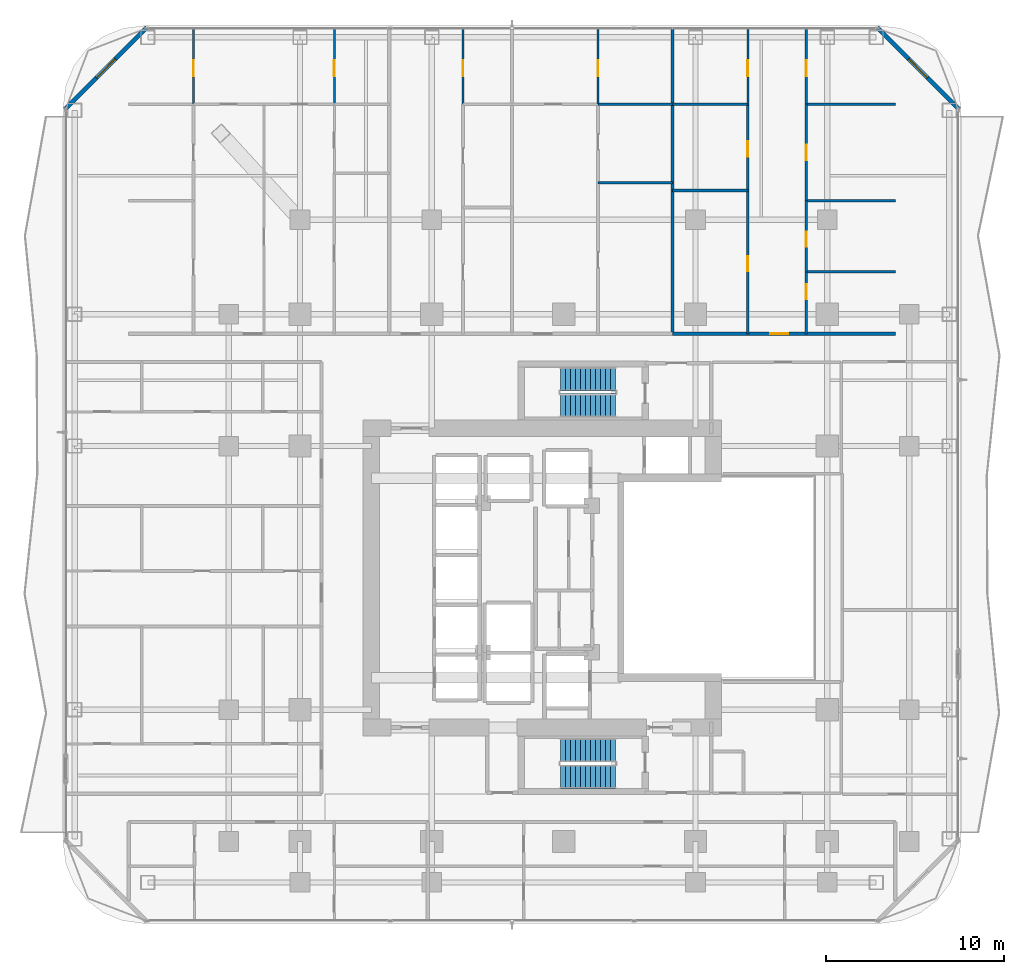
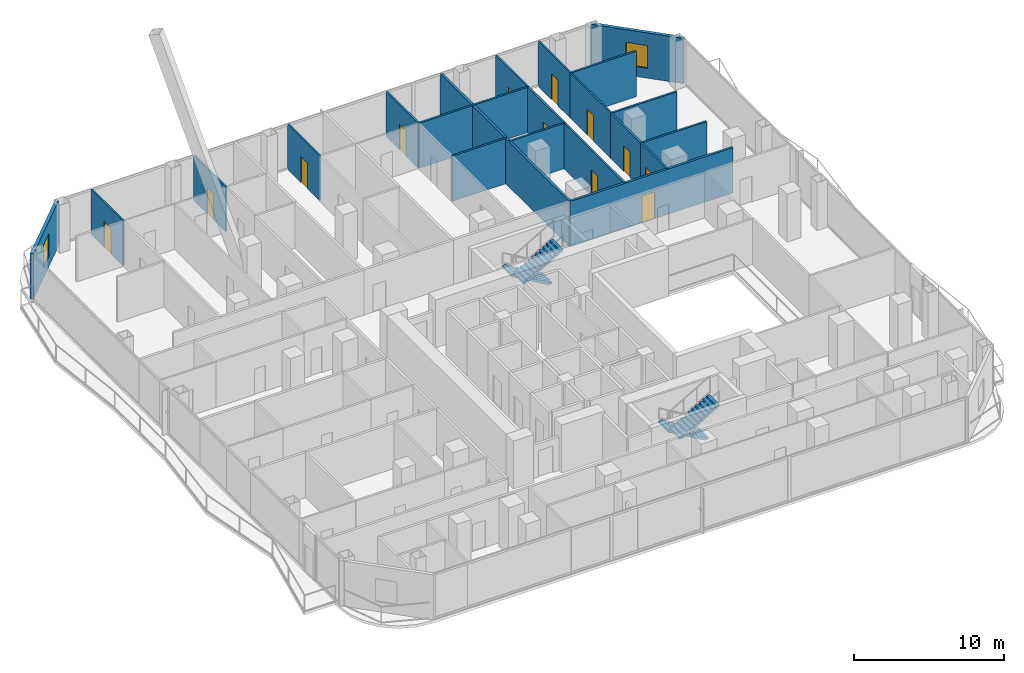
# One storey, part 23 of 28: 22 walls, 12 doors, 4 stair flights, 2 windows, 14 openings, 2 elements without a shape of their own.
"""IFC4 building model written with IfcOpenShell, lengths in metres."""

from ifc_helpers import new_model, si_unit, direction, frame, frame_2d, origin, place, context, subcontext, project, spatial, polyline, rectangle, outline, extrude, material, layer, layer_set, type_object, element, fill, aggregate, save


model = new_model("IFC4")

# Units and contexts
model_context = context("Model", 3, precision=1e-05, world=origin(), true_north=direction((0.0, 1.0)))
body_context = subcontext(model_context, "Body", "Model", "MODEL_VIEW")
ifc_project = project(units=[si_unit("LENGTHUNIT", "METRE"), si_unit("AREAUNIT", "SQUARE_METRE"), si_unit("VOLUMEUNIT", "CUBIC_METRE"), si_unit("PLANEANGLEUNIT", "RADIAN"), si_unit("MASSUNIT", "GRAM", prefix="KILO")], contexts=[model_context])

# Site, building, storey
site_placement = place(None, origin())
site = spatial("IfcSite", under=ifc_project, at=site_placement, CompositionType="ELEMENT")
building_placement = place(site_placement, origin())
building = spatial("IfcBuilding", under=site, at=building_placement, Name="Khorvyn Point Tower", CompositionType="ELEMENT")
storey_placement = place(building_placement, frame((0.0, 0.0, 89.10009765625)))
storey = spatial("IfcBuildingStorey", under=building, at=storey_placement, Name="L22", CompositionType="ELEMENT", Elevation=89.10009765625)

# Wall, opening, door
ifc_material_1 = material(Name="Double acoustic gypsum on twin steel stud", Category="steel")
ifc_layer_1 = layer(ifc_material_1, 0.179931640625)
ifc_layer_set_1 = layer_set([ifc_layer_1], Name="Acoustic Double-Stud Apartment Demising Wall 180")
wall_type_1 = type_object("IfcWallType", Name="Acoustic Double-Stud Apartment Demising Wall 180", PredefinedType="PARTITIONING", material=ifc_layer_set_1)
wall_1_placement = place(storey_placement, frame((6.116943359375, 13.699951171875, 0.0), z_axis=(0.0, 0.0, 1.0), x_axis=(1.0, 0.0, 0.0)))
wall_1 = element("IfcWall", 1, at=wall_1_placement, inside=storey, type_object=wall_type_1, Name="Wall", PredefinedType="PARTITIONING", context=body_context, shape_type="SweptSolid", body=[
    extrude(rectangle(XDim=12.503173828125, YDim=0.179931640625, at=frame_2d((6.25146484375, 0.0))), origin(), (0.0, 0.0, 1.0), 3.679931640625),
])
opening_1_placement = place(wall_1_placement, frame((5.485107421875, 0.0, 0.0)))
opening_1 = element("IfcOpeningElement", 2, at=opening_1_placement, cuts=wall_1, Name="Opening ID-AP60", PredefinedType="OPENING", context=body_context, shape_type="SweptSolid", body=[
    extrude(rectangle(XDim=1.0, YDim=2.199951171875, at=frame_2d((0.5, 1.10009765625))), frame((0.0, 0.099853515625, 0.0), z_axis=(0.0, -1.0, 0.0), x_axis=(1.0, 0.0, 0.0)), (0.0, 0.0, 1.0), 0.199951171875),
])
ifc_material_2 = material(Name="Engineered hardwood fire-rated leaf", Category="wood")
door_type_1 = type_object("IfcDoorType", Name="Acoustic Solid-Core Timber Apartment Entrance Door 1000x2200", OperationType="NOTDEFINED", PredefinedType="DOOR", material=ifc_material_2)
door_1_placement = place(opening_1_placement, origin())
door_1 = element("IfcDoor", 3, at=door_1_placement, inside=storey, type_object=door_type_1, Name="Door", OperationType="SINGLE_SWING_LEFT", OverallHeight=2.199951171875, OverallWidth=1.0, PredefinedType="DOOR", context=body_context, shape_type="SweptSolid", body=[
    extrude(rectangle(XDim=1.0, YDim=2.199951171875, at=frame_2d((0.5, 1.10009765625))), frame((0.0, 0.02490234375, 0.0), z_axis=(0.0, -1.0, 0.0), x_axis=(1.0, 0.0, 0.0)), (0.0, 0.0, 1.0), 0.050048828125),
])
fill(opening_1, door_1)

# Wall
wall_2_placement = place(storey_placement, frame((6.116943359375, 13.699951171875, 0.0), z_axis=(0.0, 0.0, 1.0), x_axis=(0.0, 1.0, 0.0)))
element("IfcWall", 4, at=wall_2_placement, inside=storey, type_object=wall_type_1, Name="Wall", PredefinedType="PARTITIONING", context=body_context, shape_type="SweptSolid", body=[
    extrude(rectangle(XDim=17.130126953125, YDim=0.179931640625, at=frame_2d((8.56494140625, 0.0))), origin(), (0.0, 0.0, 1.0), 3.679931640625),
])

# Wall, opening, window
ifc_material_3 = material(Name="Pale anodised aluminium rainscreen on steel stud", Category="steel")
ifc_layer_2 = layer(ifc_material_3, 0.239990234375)
ifc_layer_set_2 = layer_set([ifc_layer_2], Name="Anodised Aluminium Insulated Corner Spandrel Wall 240")
wall_type_2 = type_object("IfcWallType", Name="Anodised Aluminium Insulated Corner Spandrel Wall 240", PredefinedType="SOLIDWALL", material=ifc_layer_set_2)
wall_3_placement = place(storey_placement, frame((-27.992431640625, 26.3076171875, 0.0), z_axis=(0.0, 0.0, 1.0), x_axis=(0.707106781187, 0.707106781187, 0.0)))
wall_3 = element("IfcWall", 5, at=wall_3_placement, inside=storey, type_object=wall_type_2, Name="L22 Rounded Corner Wall NW", PredefinedType="SOLIDWALL", context=body_context, shape_type="SweptSolid", body=[
    extrude(rectangle(XDim=6.48388671875, YDim=0.239990234375, at=frame_2d((3.241943359375, 0.0))), origin(), (0.0, 0.0, 1.0), 3.679931640625),
])
opening_2_placement = place(wall_3_placement, frame((2.491943359375, 0.0, 0.800048828125)))
opening_2 = element("IfcOpeningElement", 6, at=opening_2_placement, cuts=wall_3, Name="Opening WN-1518", PredefinedType="OPENING", context=body_context, shape_type="SweptSolid", body=[
    extrude(rectangle(XDim=1.5, YDim=1.85009765625, at=frame_2d((0.75, 0.925048828125))), frame((0.0, 0.1298828125, 0.0), z_axis=(0.0, -1.0, 0.0), x_axis=(1.0, 0.0, 0.0)), (0.0, 0.0, 1.0), 0.260009765625),
])
ifc_material_4 = material(Name="Anodised aluminium 6063-T6 and laminated Low-E glass", Category="aluminium")
window_type = type_object("IfcWindowType", Name="Anodised Aluminium Rounded-Corner Panoramic Window 1500x1850", PartitioningType="SINGLE_PANEL", PredefinedType="WINDOW", material=ifc_material_4)
window_1_placement = place(opening_2_placement, origin())
window_1 = element("IfcWindow", 7, at=window_1_placement, inside=storey, type_object=window_type, Name="L22 Corner Panoramic Window NW", OverallHeight=1.85009765625, OverallWidth=1.5, PartitioningType="SINGLE_PANEL", PredefinedType="WINDOW", context=body_context, shape_type="SweptSolid", body=[
    extrude(rectangle(XDim=1.5, YDim=1.85009765625, at=frame_2d((0.75, 0.925048828125))), frame((0.0, 0.030029296875, 0.0), z_axis=(0.0, -1.0, 0.0), x_axis=(1.0, 0.0, 0.0)), (0.0, 0.0, 1.0), 0.06005859375),
])
fill(opening_2, window_1)

wall_4_placement = place(storey_placement, frame((17.607666015625, 30.892333984375, 0.0), z_axis=(0.0, 0.0, 1.0), x_axis=(0.707106781187, -0.707106781187, 0.0)))
wall_4 = element("IfcWall", 8, at=wall_4_placement, inside=storey, type_object=wall_type_2, Name="L22 Rounded Corner Wall NE", PredefinedType="SOLIDWALL", context=body_context, shape_type="SweptSolid", body=[
    extrude(rectangle(XDim=6.48388671875, YDim=0.239990234375, at=frame_2d((3.241943359375, 0.0))), origin(), (0.0, 0.0, 1.0), 3.679931640625),
])
opening_3_placement = place(wall_4_placement, frame((2.491943359375, 0.0, 0.800048828125)))
opening_3 = element("IfcOpeningElement", 9, at=opening_3_placement, cuts=wall_4, Name="Opening WN-1518", PredefinedType="OPENING", context=body_context, shape_type="SweptSolid", body=[
    extrude(rectangle(XDim=1.5, YDim=1.85009765625, at=frame_2d((0.75, 0.925048828125))), frame((0.0, 0.1298828125, 0.0), z_axis=(0.0, -1.0, 0.0), x_axis=(1.0, 0.0, 0.0)), (0.0, 0.0, 1.0), 0.260009765625),
])
window_2_placement = place(opening_3_placement, origin())
window_2 = element("IfcWindow", 10, at=window_2_placement, inside=storey, type_object=window_type, Name="L22 Corner Panoramic Window NE", OverallHeight=1.85009765625, OverallWidth=1.5, PartitioningType="SINGLE_PANEL", PredefinedType="WINDOW", context=body_context, shape_type="SweptSolid", body=[
    extrude(rectangle(XDim=1.5, YDim=1.85009765625, at=frame_2d((0.75, 0.925048828125))), frame((0.0, 0.030029296875, 0.0), z_axis=(0.0, -1.0, 0.0), x_axis=(1.0, 0.0, 0.0)), (0.0, 0.0, 1.0), 0.06005859375),
])
fill(opening_3, window_2)

# Wall, opening, door
ifc_material_5 = material(Name="Gypsum plasterboard on steel stud", Category="steel")
ifc_layer_3 = layer(ifc_material_5, 0.1201171875)
ifc_layer_set_3 = layer_set([ifc_layer_3], Name="Gypsum Acoustic Stud Room Partition Wall 120")
wall_type_3 = type_object("IfcWallType", Name="Gypsum Acoustic Stud Room Partition Wall 120", PredefinedType="PARTITIONING", material=ifc_layer_set_3)
wall_5_placement = place(storey_placement, frame((-20.779052734375, 26.590087890625, 0.0), z_axis=(0.0, 0.0, 1.0), x_axis=(0.0, 1.0, 0.0)))
wall_5 = element("IfcWall", 11, at=wall_5_placement, inside=storey, type_object=wall_type_3, Name="Wall", PredefinedType="PARTITIONING", context=body_context, shape_type="SweptSolid", body=[
    extrude(rectangle(XDim=4.239990234375, YDim=0.1201171875, at=frame_2d((2.1201171875, 0.0))), origin(), (0.0, 0.0, 1.0), 3.679931640625),
])
opening_4_placement = place(wall_5_placement, frame((1.581298828125, 0.0, 0.0)))
opening_4 = element("IfcOpeningElement", 12, at=opening_4_placement, cuts=wall_5, Name="Opening ID-RM90", PredefinedType="OPENING", context=body_context, shape_type="SweptSolid", body=[
    extrude(rectangle(XDim=0.89990234375, YDim=2.10009765625, at=frame_2d((0.449951171875, 1.050048828125))), frame((0.0, 0.070068359375, 0.0), z_axis=(0.0, -1.0, 0.0), x_axis=(1.0, 0.0, 0.0)), (0.0, 0.0, 1.0), 0.14013671875),
])
ifc_material_6 = material(Name="Engineered oak veneer timber", Category="wood")
door_type_2 = type_object("IfcDoorType", Name="Flush Engineered Timber Room Door 900x2100", OperationType="NOTDEFINED", PredefinedType="DOOR", material=ifc_material_6)
door_2_placement = place(opening_4_placement, origin())
door_2 = element("IfcDoor", 13, at=door_2_placement, inside=storey, type_object=door_type_2, Name="Door", OperationType="SINGLE_SWING_RIGHT", OverallHeight=2.10009765625, OverallWidth=0.89990234375, PredefinedType="DOOR", context=body_context, shape_type="SweptSolid", body=[
    extrude(rectangle(XDim=0.89990234375, YDim=2.10009765625, at=frame_2d((0.449951171875, 1.050048828125))), frame((0.0, 0.02490234375, 0.0), z_axis=(0.0, -1.0, 0.0), x_axis=(1.0, 0.0, 0.0)), (0.0, 0.0, 1.0), 0.050048828125),
])
fill(opening_4, door_2)

wall_6_placement = place(storey_placement, frame((-12.873046875, 26.590087890625, 0.0), z_axis=(0.0, 0.0, 1.0), x_axis=(0.0, 1.0, 0.0)))
wall_6 = element("IfcWall", 14, at=wall_6_placement, inside=storey, type_object=wall_type_3, Name="Wall", PredefinedType="PARTITIONING", context=body_context, shape_type="SweptSolid", body=[
    extrude(rectangle(XDim=4.239990234375, YDim=0.1201171875, at=frame_2d((2.1201171875, 0.0))), origin(), (0.0, 0.0, 1.0), 3.679931640625),
])
opening_5_placement = place(wall_6_placement, frame((1.581298828125, 0.0, 0.0)))
opening_5 = element("IfcOpeningElement", 15, at=opening_5_placement, cuts=wall_6, Name="Opening ID-RM90", PredefinedType="OPENING", context=body_context, shape_type="SweptSolid", body=[
    extrude(rectangle(XDim=0.89990234375, YDim=2.10009765625, at=frame_2d((0.449951171875, 1.050048828125))), frame((0.0, 0.070068359375, 0.0), z_axis=(0.0, -1.0, 0.0), x_axis=(1.0, 0.0, 0.0)), (0.0, 0.0, 1.0), 0.14013671875),
])
door_3_placement = place(opening_5_placement, origin())
door_3 = element("IfcDoor", 16, at=door_3_placement, inside=storey, type_object=door_type_2, Name="Door", OperationType="SINGLE_SWING_LEFT", OverallHeight=2.10009765625, OverallWidth=0.89990234375, PredefinedType="DOOR", context=body_context, shape_type="SweptSolid", body=[
    extrude(rectangle(XDim=0.89990234375, YDim=2.10009765625, at=frame_2d((0.449951171875, 1.050048828125))), frame((0.0, 0.02490234375, 0.0), z_axis=(0.0, -1.0, 0.0), x_axis=(1.0, 0.0, 0.0)), (0.0, 0.0, 1.0), 0.050048828125),
])
fill(opening_5, door_3)

wall_7_placement = place(storey_placement, frame((-5.64990234375, 26.590087890625, 0.0), z_axis=(0.0, 0.0, 1.0), x_axis=(0.0, 1.0, 0.0)))
wall_7 = element("IfcWall", 17, at=wall_7_placement, inside=storey, type_object=wall_type_3, Name="Wall", PredefinedType="PARTITIONING", context=body_context, shape_type="SweptSolid", body=[
    extrude(rectangle(XDim=4.239990234375, YDim=0.1201171875, at=frame_2d((2.1201171875, 0.0))), origin(), (0.0, 0.0, 1.0), 3.679931640625),
])
opening_6_placement = place(wall_7_placement, frame((1.581298828125, 0.0, 0.0)))
opening_6 = element("IfcOpeningElement", 18, at=opening_6_placement, cuts=wall_7, Name="Opening ID-RM90", PredefinedType="OPENING", context=body_context, shape_type="SweptSolid", body=[
    extrude(rectangle(XDim=0.89990234375, YDim=2.10009765625, at=frame_2d((0.449951171875, 1.050048828125))), frame((0.0, 0.070068359375, 0.0), z_axis=(0.0, -1.0, 0.0), x_axis=(1.0, 0.0, 0.0)), (0.0, 0.0, 1.0), 0.14013671875),
])
door_4_placement = place(opening_6_placement, origin())
door_4 = element("IfcDoor", 19, at=door_4_placement, inside=storey, type_object=door_type_2, Name="Door", OperationType="SINGLE_SWING_LEFT", OverallHeight=2.10009765625, OverallWidth=0.89990234375, PredefinedType="DOOR", context=body_context, shape_type="SweptSolid", body=[
    extrude(rectangle(XDim=0.89990234375, YDim=2.10009765625, at=frame_2d((0.449951171875, 1.050048828125))), frame((0.0, 0.02490234375, 0.0), z_axis=(0.0, -1.0, 0.0), x_axis=(1.0, 0.0, 0.0)), (0.0, 0.0, 1.0), 0.050048828125),
])
fill(opening_6, door_4)

wall_8_placement = place(storey_placement, frame((1.927978515625, 26.590087890625, 0.0), z_axis=(0.0, 0.0, 1.0), x_axis=(0.0, 1.0, 0.0)))
wall_8 = element("IfcWall", 20, at=wall_8_placement, inside=storey, type_object=wall_type_3, Name="Wall", PredefinedType="PARTITIONING", context=body_context, shape_type="SweptSolid", body=[
    extrude(rectangle(XDim=4.239990234375, YDim=0.1201171875, at=frame_2d((2.1201171875, 0.0))), origin(), (0.0, 0.0, 1.0), 3.679931640625),
])
opening_7_placement = place(wall_8_placement, frame((1.581298828125, 0.0, 0.0)))
opening_7 = element("IfcOpeningElement", 21, at=opening_7_placement, cuts=wall_8, Name="Opening ID-RM90", PredefinedType="OPENING", context=body_context, shape_type="SweptSolid", body=[
    extrude(rectangle(XDim=0.89990234375, YDim=2.10009765625, at=frame_2d((0.449951171875, 1.050048828125))), frame((0.0, 0.070068359375, 0.0), z_axis=(0.0, -1.0, 0.0), x_axis=(1.0, 0.0, 0.0)), (0.0, 0.0, 1.0), 0.14013671875),
])
door_5_placement = place(opening_7_placement, origin())
door_5 = element("IfcDoor", 22, at=door_5_placement, inside=storey, type_object=door_type_2, Name="Door", OperationType="SINGLE_SWING_RIGHT", OverallHeight=2.10009765625, OverallWidth=0.89990234375, PredefinedType="DOOR", context=body_context, shape_type="SweptSolid", body=[
    extrude(rectangle(XDim=0.89990234375, YDim=2.10009765625, at=frame_2d((0.449951171875, 1.050048828125))), frame((0.0, 0.02490234375, 0.0), z_axis=(0.0, -1.0, 0.0), x_axis=(1.0, 0.0, 0.0)), (0.0, 0.0, 1.0), 0.050048828125),
])
fill(opening_7, door_5)

wall_9_placement = place(storey_placement, frame((10.343017578125, 26.590087890625, 0.0), z_axis=(0.0, 0.0, 1.0), x_axis=(0.0, 1.0, 0.0)))
wall_9 = element("IfcWall", 23, at=wall_9_placement, inside=storey, type_object=wall_type_3, Name="Wall", PredefinedType="PARTITIONING", context=body_context, shape_type="SweptSolid", body=[
    extrude(rectangle(XDim=4.239990234375, YDim=0.1201171875, at=frame_2d((2.1201171875, 0.0))), origin(), (0.0, 0.0, 1.0), 3.679931640625),
])
opening_8_placement = place(wall_9_placement, frame((1.581298828125, 0.0, 0.0)))
opening_8 = element("IfcOpeningElement", 24, at=opening_8_placement, cuts=wall_9, Name="Opening ID-RM90", PredefinedType="OPENING", context=body_context, shape_type="SweptSolid", body=[
    extrude(rectangle(XDim=0.89990234375, YDim=2.10009765625, at=frame_2d((0.449951171875, 1.050048828125))), frame((0.0, 0.070068359375, 0.0), z_axis=(0.0, -1.0, 0.0), x_axis=(1.0, 0.0, 0.0)), (0.0, 0.0, 1.0), 0.14013671875),
])
door_6_placement = place(opening_8_placement, origin())
door_6 = element("IfcDoor", 25, at=door_6_placement, inside=storey, type_object=door_type_2, Name="Door", OperationType="SINGLE_SWING_RIGHT", OverallHeight=2.10009765625, OverallWidth=0.89990234375, PredefinedType="DOOR", context=body_context, shape_type="SweptSolid", body=[
    extrude(rectangle(XDim=0.89990234375, YDim=2.10009765625, at=frame_2d((0.449951171875, 1.050048828125))), frame((0.0, 0.02490234375, 0.0), z_axis=(0.0, -1.0, 0.0), x_axis=(1.0, 0.0, 0.0)), (0.0, 0.0, 1.0), 0.050048828125),
])
fill(opening_8, door_6)

wall_10_placement = place(storey_placement, frame((13.618896484375, 21.176025390625, 0.0), z_axis=(0.0, 0.0, 1.0), x_axis=(0.0, 1.0, 0.0)))
wall_10 = element("IfcWall", 26, at=wall_10_placement, inside=storey, type_object=wall_type_3, Name="Wall", PredefinedType="PARTITIONING", context=body_context, shape_type="SweptSolid", body=[
    extrude(rectangle(XDim=5.4140625, YDim=0.1201171875, at=frame_2d((2.70703125, 0.0))), origin(), (0.0, 0.0, 1.0), 3.679931640625),
])
opening_9_placement = place(wall_10_placement, frame((2.281982421875, 0.0, 0.0)))
opening_9 = element("IfcOpeningElement", 27, at=opening_9_placement, cuts=wall_10, Name="Opening ID-WC85", PredefinedType="OPENING", context=body_context, shape_type="SweptSolid", body=[
    extrude(rectangle(XDim=0.85009765625, YDim=2.10009765625, at=frame_2d((0.425048828125, 1.050048828125))), frame((0.0, 0.070068359375, 0.0), z_axis=(0.0, -1.0, 0.0), x_axis=(1.0, 0.0, 0.0)), (0.0, 0.0, 1.0), 0.14013671875),
])
ifc_material_7 = material(Name="High-pressure laminate on moisture-resistant core", Category="wood")
door_type_3 = type_object("IfcDoorType", Name="Moisture-Resistant Accessible Washroom Door 850x2100", OperationType="NOTDEFINED", PredefinedType="DOOR", material=ifc_material_7)
door_7_placement = place(opening_9_placement, origin())
door_7 = element("IfcDoor", 28, at=door_7_placement, inside=storey, type_object=door_type_3, Name="Door", OperationType="SINGLE_SWING_LEFT", OverallHeight=2.10009765625, OverallWidth=0.85009765625, PredefinedType="DOOR", context=body_context, shape_type="SweptSolid", body=[
    extrude(rectangle(XDim=0.85009765625, YDim=2.10009765625, at=frame_2d((0.425048828125, 1.050048828125))), frame((0.0, 0.02490234375, 0.0), z_axis=(0.0, -1.0, 0.0), x_axis=(1.0, 0.0, 0.0)), (0.0, 0.0, 1.0), 0.050048828125),
])
fill(opening_9, door_7)

wall_11_placement = place(storey_placement, frame((13.618896484375, 26.590087890625, 0.0), z_axis=(0.0, 0.0, 1.0), x_axis=(0.0, 1.0, 0.0)))
wall_11 = element("IfcWall", 29, at=wall_11_placement, inside=storey, type_object=wall_type_3, Name="Wall", PredefinedType="PARTITIONING", context=body_context, shape_type="SweptSolid", body=[
    extrude(rectangle(XDim=4.239990234375, YDim=0.1201171875, at=frame_2d((2.1201171875, 0.0))), origin(), (0.0, 0.0, 1.0), 3.679931640625),
])
opening_10_placement = place(wall_11_placement, frame((1.581298828125, 0.0, 0.0)))
opening_10 = element("IfcOpeningElement", 30, at=opening_10_placement, cuts=wall_11, Name="Opening ID-RM90", PredefinedType="OPENING", context=body_context, shape_type="SweptSolid", body=[
    extrude(rectangle(XDim=0.89990234375, YDim=2.10009765625, at=frame_2d((0.449951171875, 1.050048828125))), frame((0.0, 0.070068359375, 0.0), z_axis=(0.0, -1.0, 0.0), x_axis=(1.0, 0.0, 0.0)), (0.0, 0.0, 1.0), 0.14013671875),
])
door_8_placement = place(opening_10_placement, origin())
door_8 = element("IfcDoor", 31, at=door_8_placement, inside=storey, type_object=door_type_2, Name="Door", OperationType="SINGLE_SWING_RIGHT", OverallHeight=2.10009765625, OverallWidth=0.89990234375, PredefinedType="DOOR", context=body_context, shape_type="SweptSolid", body=[
    extrude(rectangle(XDim=0.89990234375, YDim=2.10009765625, at=frame_2d((0.449951171875, 1.050048828125))), frame((0.0, 0.02490234375, 0.0), z_axis=(0.0, -1.0, 0.0), x_axis=(1.0, 0.0, 0.0)), (0.0, 0.0, 1.0), 0.050048828125),
])
fill(opening_10, door_8)

ifc_material_8 = material(Name="Moisture-resistant gypsum and cement board", Category="gypsum")
ifc_layer_4 = layer(ifc_material_8, 0.14990234375)
ifc_layer_set_4 = layer_set([ifc_layer_4], Name="Moisture-Resistant Wet-Room Partition Wall 150")
wall_type_4 = type_object("IfcWallType", Name="Moisture-Resistant Wet-Room Partition Wall 150", PredefinedType="PARTITIONING", material=ifc_layer_set_4)
wall_12_placement = place(storey_placement, frame((10.343017578125, 13.699951171875, 0.0), z_axis=(0.0, 0.0, 1.0), x_axis=(0.0, 1.0, 0.0)))
wall_12 = element("IfcWall", 32, at=wall_12_placement, inside=storey, type_object=wall_type_4, Name="Wall", PredefinedType="PARTITIONING", context=body_context, shape_type="SweptSolid", body=[
    extrude(rectangle(XDim=8.045166015625, YDim=0.14990234375, at=frame_2d((4.0224609375, 0.0))), origin(), (0.0, 0.0, 1.0), 3.679931640625),
])
opening_11_placement = place(wall_12_placement, frame((3.509521484375, 0.0, 0.0)))
opening_11 = element("IfcOpeningElement", 33, at=opening_11_placement, cuts=wall_12, Name="Opening ID-WC85", PredefinedType="OPENING", context=body_context, shape_type="SweptSolid", body=[
    extrude(rectangle(XDim=0.85009765625, YDim=2.10009765625, at=frame_2d((0.425048828125, 1.050048828125))), frame((0.0, 0.0849609375, 0.0), z_axis=(0.0, -1.0, 0.0), x_axis=(1.0, 0.0, 0.0)), (0.0, 0.0, 1.0), 0.169921875),
])
door_9_placement = place(opening_11_placement, origin())
door_9 = element("IfcDoor", 34, at=door_9_placement, inside=storey, type_object=door_type_3, Name="Door", OperationType="SINGLE_SWING_RIGHT", OverallHeight=2.10009765625, OverallWidth=0.85009765625, PredefinedType="DOOR", context=body_context, shape_type="SweptSolid", body=[
    extrude(rectangle(XDim=0.85009765625, YDim=2.10009765625, at=frame_2d((0.425048828125, 1.050048828125))), frame((0.0, 0.02490234375, 0.0), z_axis=(0.0, -1.0, 0.0), x_axis=(1.0, 0.0, 0.0)), (0.0, 0.0, 1.0), 0.050048828125),
])
fill(opening_11, door_9)

wall_13_placement = place(storey_placement, frame((10.343017578125, 21.7451171875, 0.0), z_axis=(0.0, 0.0, 1.0), x_axis=(0.0, 1.0, 0.0)))
wall_13 = element("IfcWall", 35, at=wall_13_placement, inside=storey, type_object=wall_type_4, Name="Wall", PredefinedType="PARTITIONING", context=body_context, shape_type="SweptSolid", body=[
    extrude(rectangle(XDim=4.844970703125, YDim=0.14990234375, at=frame_2d((2.42236328125, 0.0))), origin(), (0.0, 0.0, 1.0), 3.679931640625),
])
opening_12_placement = place(wall_13_placement, frame((1.909912109375, 0.0, 0.0)))
opening_12 = element("IfcOpeningElement", 36, at=opening_12_placement, cuts=wall_13, Name="Opening ID-WC85", PredefinedType="OPENING", context=body_context, shape_type="SweptSolid", body=[
    extrude(rectangle(XDim=0.85009765625, YDim=2.10009765625, at=frame_2d((0.425048828125, 1.050048828125))), frame((0.0, 0.0849609375, 0.0), z_axis=(0.0, -1.0, 0.0), x_axis=(1.0, 0.0, 0.0)), (0.0, 0.0, 1.0), 0.169921875),
])
door_10_placement = place(opening_12_placement, origin())
door_10 = element("IfcDoor", 37, at=door_10_placement, inside=storey, type_object=door_type_3, Name="Door", OperationType="SINGLE_SWING_LEFT", OverallHeight=2.10009765625, OverallWidth=0.85009765625, PredefinedType="DOOR", context=body_context, shape_type="SweptSolid", body=[
    extrude(rectangle(XDim=0.85009765625, YDim=2.10009765625, at=frame_2d((0.425048828125, 1.050048828125))), frame((0.0, 0.02490234375, 0.0), z_axis=(0.0, -1.0, 0.0), x_axis=(1.0, 0.0, 0.0)), (0.0, 0.0, 1.0), 0.050048828125),
])
fill(opening_12, door_10)

wall_14_placement = place(storey_placement, frame((13.618896484375, 13.699951171875, 0.0), z_axis=(0.0, 0.0, 1.0), x_axis=(0.0, 1.0, 0.0)))
wall_14 = element("IfcWall", 38, at=wall_14_placement, inside=storey, type_object=wall_type_4, Name="Wall", PredefinedType="PARTITIONING", context=body_context, shape_type="SweptSolid", body=[
    extrude(rectangle(XDim=3.47998046875, YDim=0.14990234375, at=frame_2d((1.739990234375, 0.0))), origin(), (0.0, 0.0, 1.0), 3.679931640625),
])
opening_13_placement = place(wall_14_placement, frame((1.93701171875, 0.0, 0.0)))
opening_13 = element("IfcOpeningElement", 39, at=opening_13_placement, cuts=wall_14, Name="Opening ID-WC85", PredefinedType="OPENING", context=body_context, shape_type="SweptSolid", body=[
    extrude(rectangle(XDim=0.85009765625, YDim=2.10009765625, at=frame_2d((0.425048828125, 1.050048828125))), frame((0.0, 0.0849609375, 0.0), z_axis=(0.0, -1.0, 0.0), x_axis=(1.0, 0.0, 0.0)), (0.0, 0.0, 1.0), 0.169921875),
])
door_11_placement = place(opening_13_placement, origin())
door_11 = element("IfcDoor", 40, at=door_11_placement, inside=storey, type_object=door_type_3, Name="Door", OperationType="SINGLE_SWING_LEFT", OverallHeight=2.10009765625, OverallWidth=0.85009765625, PredefinedType="DOOR", context=body_context, shape_type="SweptSolid", body=[
    extrude(rectangle(XDim=0.85009765625, YDim=2.10009765625, at=frame_2d((0.425048828125, 1.050048828125))), frame((0.0, 0.02490234375, 0.0), z_axis=(0.0, -1.0, 0.0), x_axis=(1.0, 0.0, 0.0)), (0.0, 0.0, 1.0), 0.050048828125),
])
fill(opening_13, door_11)

wall_15_placement = place(storey_placement, frame((13.618896484375, 17.179931640625, 0.0), z_axis=(0.0, 0.0, 1.0), x_axis=(0.0, 1.0, 0.0)))
wall_15 = element("IfcWall", 41, at=wall_15_placement, inside=storey, type_object=wall_type_4, Name="Wall", PredefinedType="PARTITIONING", context=body_context, shape_type="SweptSolid", body=[
    extrude(rectangle(XDim=3.99609375, YDim=0.14990234375, at=frame_2d((1.998046875, 0.0))), origin(), (0.0, 0.0, 1.0), 3.679931640625),
])
opening_14_placement = place(wall_15_placement, frame((1.396484375, 0.0, 0.0)))
opening_14 = element("IfcOpeningElement", 42, at=opening_14_placement, cuts=wall_15, Name="Opening ID-WC85", PredefinedType="OPENING", context=body_context, shape_type="SweptSolid", body=[
    extrude(rectangle(XDim=0.85009765625, YDim=2.10009765625, at=frame_2d((0.425048828125, 1.050048828125))), frame((0.0, 0.0849609375, 0.0), z_axis=(0.0, -1.0, 0.0), x_axis=(1.0, 0.0, 0.0)), (0.0, 0.0, 1.0), 0.169921875),
])
door_12_placement = place(opening_14_placement, origin())
door_12 = element("IfcDoor", 43, at=door_12_placement, inside=storey, type_object=door_type_3, Name="Door", OperationType="SINGLE_SWING_RIGHT", OverallHeight=2.10009765625, OverallWidth=0.85009765625, PredefinedType="DOOR", context=body_context, shape_type="SweptSolid", body=[
    extrude(rectangle(XDim=0.85009765625, YDim=2.10009765625, at=frame_2d((0.425048828125, 1.050048828125))), frame((0.0, 0.02490234375, 0.0), z_axis=(0.0, -1.0, 0.0), x_axis=(1.0, 0.0, 0.0)), (0.0, 0.0, 1.0), 0.050048828125),
])
fill(opening_14, door_12)

# Walls
for number, where, z_axis, x_axis, name in (
    (44, (1.927978515625, 22.174072265625, 0.0), (0.0, 0.0, 1.0), (1.0, 0.0, 0.0), "Wall"),
    (45, (1.927978515625, 26.590087890625, 0.0), (0.0, 0.0, 1.0), (1.0, 0.0, 0.0), "Wall"),
):
    element("IfcWall", number, at=place(storey_placement, frame(where, z_axis=z_axis, x_axis=x_axis)), inside=storey, type_object=wall_type_4, Name=name, PredefinedType="PARTITIONING", context=body_context, shape_type="SweptSolid", body=[
        extrude(rectangle(XDim=4.18896484375, YDim=0.14990234375, at=frame_2d((2.094482421875, 0.0))), origin(), (0.0, 0.0, 1.0), 3.679931640625),
    ])
for number, where, z_axis, x_axis, name in (
    (46, (6.116943359375, 21.7451171875, 0.0), (0.0, 0.0, 1.0), (1.0, 0.0, 0.0), "Wall"),
    (47, (6.116943359375, 26.590087890625, 0.0), (0.0, 0.0, 1.0), (1.0, 0.0, 0.0), "Wall"),
):
    element("IfcWall", number, at=place(storey_placement, frame(where, z_axis=z_axis, x_axis=x_axis)), inside=storey, type_object=wall_type_4, Name=name, PredefinedType="PARTITIONING", context=body_context, shape_type="SweptSolid", body=[
        extrude(rectangle(XDim=4.22607421875, YDim=0.14990234375, at=frame_2d((2.113037109375, 0.0))), origin(), (0.0, 0.0, 1.0), 3.679931640625),
    ])
for number, where, z_axis, x_axis, name in (
    (48, (13.618896484375, 17.179931640625, 0.0), (0.0, 0.0, 1.0), (1.0, 0.0, 0.0), "Wall"),
    (49, (13.618896484375, 21.176025390625, 0.0), (0.0, 0.0, 1.0), (1.0, 0.0, 0.0), "Wall"),
    (50, (13.618896484375, 26.590087890625, 0.0), (0.0, 0.0, 1.0), (1.0, 0.0, 0.0), "Wall"),
):
    element("IfcWall", number, at=place(storey_placement, frame(where, z_axis=z_axis, x_axis=x_axis)), inside=storey, type_object=wall_type_4, Name=name, PredefinedType="PARTITIONING", context=body_context, shape_type="SweptSolid", body=[
        extrude(rectangle(XDim=5.001220703125, YDim=0.14990234375, at=frame_2d((2.50048828125, 0.0))), origin(), (0.0, 0.0, 1.0), 3.679931640625),
    ])

# Stair, stair flights
ifc_material_9 = material(Name="Concrete C40/50", Category="concrete")
stair_type = type_object("IfcStairType", Name="Tower Concrete C40/50 Dogleg Exit Stair", PredefinedType="HALF_TURN_STAIR", material=ifc_material_9)
stair_1_placement = place(storey_placement, origin())
stair_1 = element("IfcStair", 51, at=stair_1_placement, inside=storey, type_object=stair_type, Name="L22 Tower Smokeproof Exit Stair South", PredefinedType="HALF_TURN_STAIR")
stair_flight_type = type_object("IfcStairFlightType", Name="Tower Concrete C40/50 Stair Flight", PredefinedType="STRAIGHT", material=ifc_material_9)
stair_flight_1_placement = place(storey_placement, frame((2.89990234375, -9.679931640625, 0.0), z_axis=(0.0, 0.0, 1.0), x_axis=(-1.0, 0.0, 0.0)))
stair_flight_1 = element("IfcStairFlight", 52, at=stair_flight_1_placement, type_object=stair_flight_type, Name="ST-01 flight 1", NumberOfRisers=12, NumberOfTreads=11, PredefinedType="STRAIGHT", RiserHeight=0.1625, TreadLength=0.28, context=body_context, shape_type="SweptSolid", body=[
    extrude(outline(polyline([(0.0, 0.0), (0.0, 0.16259765625), (0.280029296875, 0.16259765625), (0.280029296875, 0.324951171875), (0.56005859375, 0.324951171875), (0.56005859375, 0.487548828125), (0.840087890625, 0.487548828125), (0.840087890625, 0.64990234375), (1.1201171875, 0.64990234375), (1.1201171875, 0.8125), (1.39990234375, 0.8125), (1.39990234375, 0.97509765625), (1.679931640625, 0.97509765625), (1.679931640625, 1.137451171875), (1.9599609375, 1.137451171875), (1.9599609375, 1.300048828125), (2.239990234375, 1.300048828125), (2.239990234375, 1.46240234375), (2.52001953125, 1.46240234375), (2.52001953125, 1.625), (2.800048828125, 1.625), (2.800048828125, 1.78759765625), (3.080078125, 1.78759765625), (3.080078125, 1.949951171875), (3.080078125, 1.6142578125), (0.298583984375, 0.0), (0.0, 0.0)])), frame((0.0, 0.66015625, 0.0), z_axis=(0.0, -1.0, 0.0), x_axis=(1.0, 0.0, 0.0)), (0.0, 0.0, 1.0), 1.320068359375),
])
stair_flight_2_placement = place(storey_placement, frame((-0.179931640625, -11.159912109375, 1.949951171875), z_axis=(0.0, 0.0, 1.0), x_axis=(1.0, 0.0, 0.0)))
stair_flight_2 = element("IfcStairFlight", 53, at=stair_flight_2_placement, type_object=stair_flight_type, Name="ST-01 flight 2", NumberOfRisers=12, NumberOfTreads=11, PredefinedType="STRAIGHT", RiserHeight=0.1625, TreadLength=0.28, context=body_context, shape_type="SweptSolid", body=[
    extrude(outline(polyline([(0.0, 0.0), (0.0, 0.16259765625), (0.280029296875, 0.16259765625), (0.280029296875, 0.324951171875), (0.56005859375, 0.324951171875), (0.56005859375, 0.487548828125), (0.840087890625, 0.487548828125), (0.840087890625, 0.64990234375), (1.1201171875, 0.64990234375), (1.1201171875, 0.8125), (1.39990234375, 0.8125), (1.39990234375, 0.97509765625), (1.679931640625, 0.97509765625), (1.679931640625, 1.137451171875), (1.9599609375, 1.137451171875), (1.9599609375, 1.300048828125), (2.239990234375, 1.300048828125), (2.239990234375, 1.46240234375), (2.52001953125, 1.46240234375), (2.52001953125, 1.625), (2.800048828125, 1.625), (2.800048828125, 1.78759765625), (3.080078125, 1.78759765625), (3.080078125, 1.949951171875), (3.080078125, 1.6142578125), (0.298583984375, 0.0), (0.0, 0.0)])), frame((0.0, 0.66015625, 0.0), z_axis=(0.0, -1.0, 0.0), x_axis=(1.0, 0.0, 0.0)), (0.0, 0.0, 1.0), 1.320068359375),
])
aggregate(stair_1, [stair_flight_1, stair_flight_2])

stair_2_placement = place(storey_placement, origin())
stair_2 = element("IfcStair", 54, at=stair_2_placement, inside=storey, type_object=stair_type, Name="L22 Tower Smokeproof Exit Stair North", PredefinedType="HALF_TURN_STAIR")
stair_flight_3_placement = place(storey_placement, frame((2.89990234375, 11.159912109375, 0.0), z_axis=(0.0, 0.0, 1.0), x_axis=(-1.0, 0.0, 0.0)))
stair_flight_3 = element("IfcStairFlight", 55, at=stair_flight_3_placement, type_object=stair_flight_type, Name="ST-02 flight 1", NumberOfRisers=12, NumberOfTreads=11, PredefinedType="STRAIGHT", RiserHeight=0.1625, TreadLength=0.28, context=body_context, shape_type="SweptSolid", body=[
    extrude(outline(polyline([(0.0, 0.0), (0.0, 0.16259765625), (0.280029296875, 0.16259765625), (0.280029296875, 0.324951171875), (0.56005859375, 0.324951171875), (0.56005859375, 0.487548828125), (0.840087890625, 0.487548828125), (0.840087890625, 0.64990234375), (1.1201171875, 0.64990234375), (1.1201171875, 0.8125), (1.39990234375, 0.8125), (1.39990234375, 0.97509765625), (1.679931640625, 0.97509765625), (1.679931640625, 1.137451171875), (1.9599609375, 1.137451171875), (1.9599609375, 1.300048828125), (2.239990234375, 1.300048828125), (2.239990234375, 1.46240234375), (2.52001953125, 1.46240234375), (2.52001953125, 1.625), (2.800048828125, 1.625), (2.800048828125, 1.78759765625), (3.080078125, 1.78759765625), (3.080078125, 1.949951171875), (3.080078125, 1.6142578125), (0.298583984375, 0.0), (0.0, 0.0)])), frame((0.0, 0.66015625, 0.0), z_axis=(0.0, -1.0, 0.0), x_axis=(1.0, 0.0, 0.0)), (0.0, 0.0, 1.0), 1.320068359375),
])
stair_flight_4_placement = place(storey_placement, frame((-0.179931640625, 9.679931640625, 1.949951171875), z_axis=(0.0, 0.0, 1.0), x_axis=(1.0, 0.0, 0.0)))
stair_flight_4 = element("IfcStairFlight", 56, at=stair_flight_4_placement, type_object=stair_flight_type, Name="ST-02 flight 2", NumberOfRisers=12, NumberOfTreads=11, PredefinedType="STRAIGHT", RiserHeight=0.1625, TreadLength=0.28, context=body_context, shape_type="SweptSolid", body=[
    extrude(outline(polyline([(0.0, 0.0), (0.0, 0.16259765625), (0.280029296875, 0.16259765625), (0.280029296875, 0.324951171875), (0.56005859375, 0.324951171875), (0.56005859375, 0.487548828125), (0.840087890625, 0.487548828125), (0.840087890625, 0.64990234375), (1.1201171875, 0.64990234375), (1.1201171875, 0.8125), (1.39990234375, 0.8125), (1.39990234375, 0.97509765625), (1.679931640625, 0.97509765625), (1.679931640625, 1.137451171875), (1.9599609375, 1.137451171875), (1.9599609375, 1.300048828125), (2.239990234375, 1.300048828125), (2.239990234375, 1.46240234375), (2.52001953125, 1.46240234375), (2.52001953125, 1.625), (2.800048828125, 1.625), (2.800048828125, 1.78759765625), (3.080078125, 1.78759765625), (3.080078125, 1.949951171875), (3.080078125, 1.6142578125), (0.298583984375, 0.0), (0.0, 0.0)])), frame((0.0, 0.66015625, 0.0), z_axis=(0.0, -1.0, 0.0), x_axis=(1.0, 0.0, 0.0)), (0.0, 0.0, 1.0), 1.320068359375),
])
aggregate(stair_2, [stair_flight_3, stair_flight_4])

save(model, "model.ifc")
